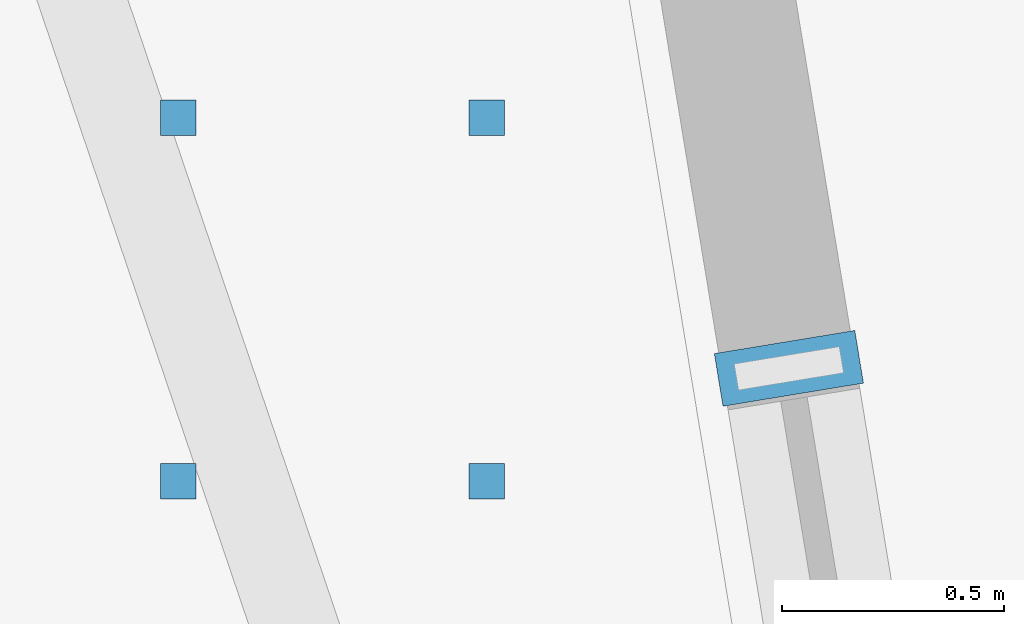
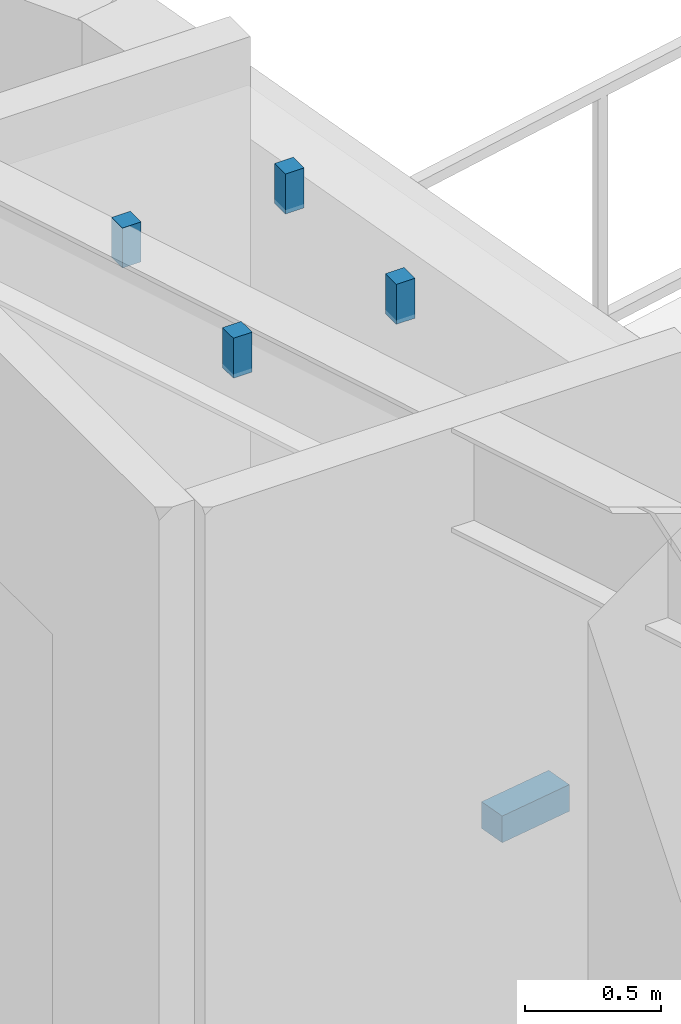
# One storey, part 14 of 19: 5 discrete accessories.
"""IFC4 building model written with IfcOpenShell, lengths in metres."""

from ifc_helpers import new_model, si_unit, direction, frame, origin, origin_2d, place, context, subcontext, project, spatial, rectangle, extrude, material, type_object, element, save


model = new_model("IFC4")

# Units and contexts
model_context = context("Model", 3, precision=1e-05, world=origin(), true_north=direction((0.0, 1.0)))
body_context = subcontext(model_context, "Body", "Model", "MODEL_VIEW")
ifc_project = project(units=[si_unit("LENGTHUNIT", "METRE"), si_unit("AREAUNIT", "SQUARE_METRE"), si_unit("VOLUMEUNIT", "CUBIC_METRE"), si_unit("PLANEANGLEUNIT", "RADIAN"), si_unit("MASSUNIT", "GRAM", prefix="KILO")], contexts=[model_context])

# Site, building, storey
site_placement = place(None, origin())
site = spatial("IfcSite", under=ifc_project, at=site_placement, CompositionType="ELEMENT")
building_placement = place(site_placement, origin())
building = spatial("IfcBuilding", under=site, at=building_placement, Name="Kolvaren Gate Tower and Convention Centre", CompositionType="ELEMENT")
storey_placement = place(building_placement, frame((0.0, 0.0, 122.300048828125)))
storey = spatial("IfcBuildingStorey", under=building, at=storey_placement, Name="L30", CompositionType="ELEMENT", Elevation=122.300048828125)

# Discrete accessories
ifc_material_1 = material(Name="Anodized Architectural Aluminium Alloy 6063-T6", Category="aluminium")
discrete_accessory_type_1 = type_object("IfcDiscreteAccessoryType", Name="ARCH-ACC-BRACKET-120", PredefinedType="BRACKET", material=ifc_material_1)
discrete_accessory_placement = place(storey_placement, frame((53.88134765625, 29.6201171875, 0.289794921875), z_axis=(0.0, 0.0, 1.0), x_axis=(0.162389178836, -0.986726788223, 0.0)))
element("IfcDiscreteAccessory", 1, at=discrete_accessory_placement, inside=storey, type_object=discrete_accessory_type_1, Name="Ceramic Fin Wall Anchor Bracket FBK-L30-00", PredefinedType="BRACKET", context=body_context, shape_type="SweptSolid", body=[
    extrude(rectangle(XDim=0.1201171875, YDim=0.320068359375, at=origin_2d()), origin(), (0.0, 0.0, 1.0), 0.1201171875),
])
ifc_material_2 = material(Name="Brushed Stainless Steel Grade 316L", Category="steel")
discrete_accessory_type_2 = type_object("IfcDiscreteAccessoryType", Name="ARCH-ACC-HANGER-80", PredefinedType="BRACKET", material=ifc_material_2)
for number, where, z_axis, x_axis, name in (
    (2, (52.508056640625, 29.365966796875, 2.9501953125), (0.0, 0.0, 1.0), (1.0, 0.0, 0.0), "En-suite Bathroom (HTL-L30-05) Ceiling Suspension Hanger Clip 1"),
    (3, (53.201904296875, 29.365966796875, 2.9501953125), (0.0, 0.0, 1.0), (1.0, 0.0, 0.0), "En-suite Bathroom (HTL-L30-05) Ceiling Suspension Hanger Clip 2"),
    (4, (52.508056640625, 30.18408203125, 2.9501953125), (0.0, 0.0, 1.0), (1.0, 0.0, 0.0), "En-suite Bathroom (HTL-L30-05) Ceiling Suspension Hanger Clip 3"),
    (5, (53.201904296875, 30.18408203125, 2.9501953125), (0.0, 0.0, 1.0), (1.0, 0.0, 0.0), "En-suite Bathroom (HTL-L30-05) Ceiling Suspension Hanger Clip 4"),
):
    element("IfcDiscreteAccessory", number, at=place(storey_placement, frame(where, z_axis=z_axis, x_axis=x_axis)), inside=storey, type_object=discrete_accessory_type_2, Name=name, PredefinedType="BRACKET", context=body_context, shape_type="SweptSolid", body=[
        extrude(rectangle(XDim=0.080078125, YDim=0.080078125, at=origin_2d()), origin(), (0.0, 0.0, 1.0), 0.179931640625),
    ])

save(model, "model.ifc")
